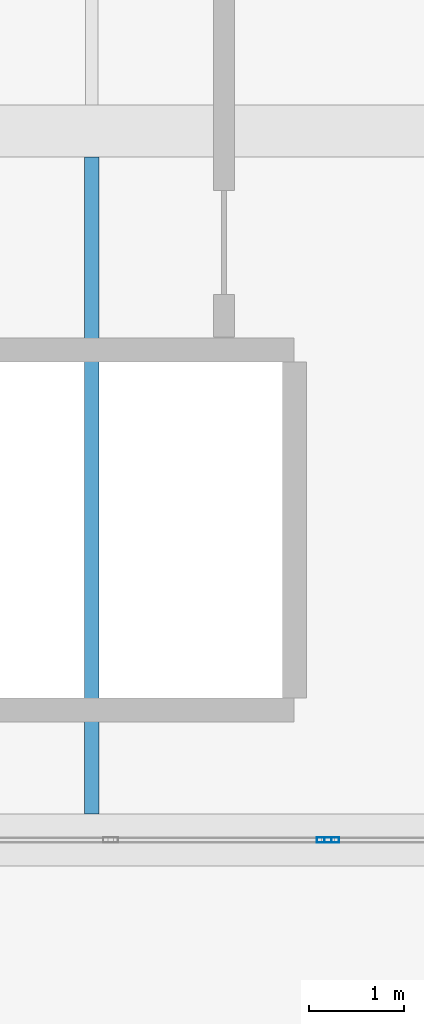
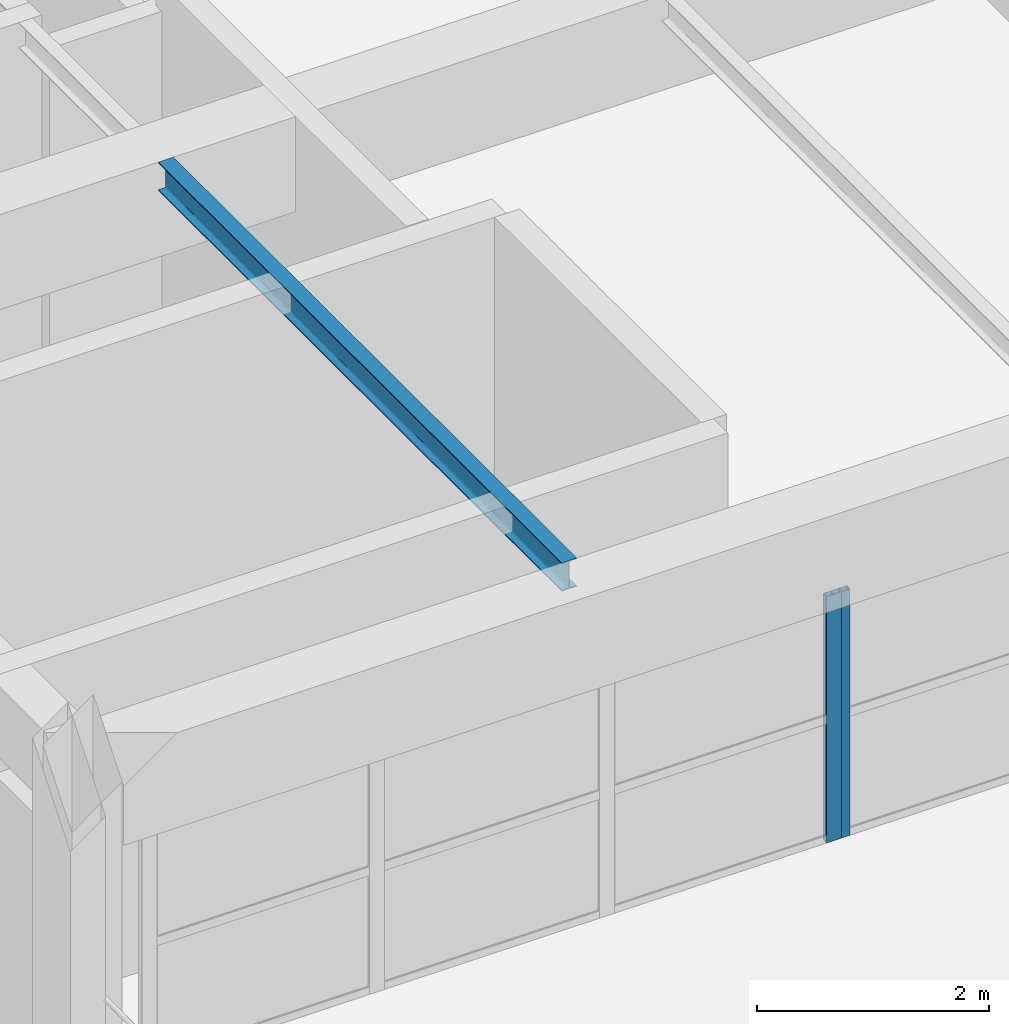
# One storey, part 4 of 82: 2 members, 1 beam, 2 elements without a shape of their own.
"""IFC4 building model written with IfcOpenShell, lengths in metres."""

import ifcopenshell
import ifcopenshell.guid

model = None  # the IFC model being written
_history = None  # IfcOwnerHistory: only IFC2X3 demands one
_inside = {}  # id of a spatial element -> (the spatial element, [elements in it])
_under = {}  # id of a project, library or spatial element -> (it, [spatial elements below it])
_declared = {}  # id of a project -> (the project, [libraries it declares])
_typed = {}  # id of a type object -> (the type object, [elements of that type])
_made_of = {}  # id of a material, layer set ... -> (it, [elements and type objects made of it])


def new_model(schema):
    """Start an empty IFC model of exactly this schema.

    Asked for "IFC4X3", IfcOpenShell would pick the latest addendum, in which some entities
    have other attributes; the version numbers below select the first issue.
    IFC2X3 requires an IfcOwnerHistory on every rooted entity: one is made here for all.
    """
    global model, _history
    if schema == "IFC4X3":
        model = ifcopenshell.file(schema_version=(4, 3, 0, 0))
    else:
        model = ifcopenshell.file(schema=schema)
    _inside.clear()
    _under.clear()
    _declared.clear()
    _typed.clear()
    _made_of.clear()
    _history = None
    if model.schema == "IFC2X3":
        org = make("IfcOrganization", Name="unknown")
        user = make(
            "IfcPersonAndOrganization",
            ThePerson=make("IfcPerson", FamilyName="unknown"),
            TheOrganization=org,
        )
        app = make(
            "IfcApplication",
            ApplicationDeveloper=org,
            Version="unknown",
            ApplicationFullName="unknown",
            ApplicationIdentifier="unknown",
        )
        _history = make(
            "IfcOwnerHistory",
            OwningUser=user,
            OwningApplication=app,
            ChangeAction="ADDED",
            CreationDate=0,
        )
    return model


def make(cls, **values):
    """One entity of the class cls with the attributes given. An attribute that is None is left unset."""
    return model.create_entity(
        cls, **{name: value for name, value in values.items() if value is not None}
    )


def rooted(cls, **values):
    """An entity with a GlobalId (a new one), such as an element, a storey or a relation."""
    return make(cls, GlobalId=ifcopenshell.guid.new(), OwnerHistory=_history, **values)


def si_unit(unit_type, name, prefix=None):
    """IfcSIUnit, for example si_unit("LENGTHUNIT", "METRE", prefix="MILLI")."""
    return make("IfcSIUnit", UnitType=unit_type, Prefix=prefix, Name=name)


def assignment(units):
    """IfcUnitAssignment: the units of a project."""
    return None if units is None else make("IfcUnitAssignment", Units=units)


def point(xyz):
    """IfcCartesianPoint."""
    return None if xyz is None else make("IfcCartesianPoint", Coordinates=xyz)


def direction(xyz):
    """IfcDirection."""
    return None if xyz is None else make("IfcDirection", DirectionRatios=xyz)


def frame(location, z_axis=None, x_axis=None):
    """IfcAxis2Placement3D, a coordinate frame: its origin and axes. An axis left out is left unset."""
    return make(
        "IfcAxis2Placement3D",
        Location=point(location),
        Axis=direction(z_axis),
        RefDirection=direction(x_axis),
    )


def frame_2d(location, x_axis=None):
    """IfcAxis2Placement2D, a coordinate frame in the plane: its origin and x axis."""
    return make(
        "IfcAxis2Placement2D", Location=point(location), RefDirection=direction(x_axis)
    )


def origin():
    """The frame at (0, 0, 0) with its axes left unset."""
    return frame((0.0, 0.0, 0.0))


def origin_2d():
    """The frame at (0, 0) in the plane with its x axis left unset."""
    return frame_2d((0.0, 0.0))


def place(relative_to, where):
    """IfcLocalPlacement: puts the frame where relative to a parent placement (None: the world)."""
    return make(
        "IfcLocalPlacement", PlacementRelTo=relative_to, RelativePlacement=where
    )


def context(
    kind, dimensions, precision=None, world=None, true_north=None, identifier=None
):
    """IfcGeometricRepresentationContext, for example the 3D "Model" context."""
    return make(
        "IfcGeometricRepresentationContext",
        ContextIdentifier=identifier,
        ContextType=kind,
        CoordinateSpaceDimension=dimensions,
        Precision=precision,
        WorldCoordinateSystem=world,
        TrueNorth=true_north,
    )


def subcontext(parent, identifier, kind, view, scale=None):
    """IfcGeometricRepresentationSubContext, for example "Body" below "Model"."""
    return make(
        "IfcGeometricRepresentationSubContext",
        ContextIdentifier=identifier,
        ContextType=kind,
        ParentContext=parent,
        TargetScale=scale,
        TargetView=view,
    )


def project(units=None, contexts=None):
    """IfcProject with its units and contexts."""
    return rooted(
        "IfcProject",
        Name="project",
        RepresentationContexts=contexts,
        UnitsInContext=assignment(units),
    )


def spatial(cls, under=None, at=None, **own):
    """A site, building, storey or space (cls), placed at a placement, below another one or the project."""
    s = rooted(cls, ObjectPlacement=at, **own)
    if under is not None:
        _under.setdefault(under.id(), (under, []))[1].append(s)
    return s


def profile(cls, at=None, kind="AREA", **sizes):
    """A parametric profile (cls). Its sizes go by their IFC names, for example OverallWidth=200.0."""
    return make(cls, ProfileType=kind, Position=at, **sizes)


def hollow_rectangle(**sizes):
    """IfcRectangleHollowProfileDef."""
    return profile("IfcRectangleHollowProfileDef", **sizes)


def i_section(**sizes):
    """IfcIShapeProfileDef."""
    return profile("IfcIShapeProfileDef", **sizes)


def extrude(swept, where, along, depth):
    """IfcExtrudedAreaSolid: the profile swept, set in the frame where, extruded along a direction by depth."""
    return make(
        "IfcExtrudedAreaSolid",
        SweptArea=swept,
        Position=where,
        ExtrudedDirection=direction(along),
        Depth=depth,
    )


def shape(context_of_items, identifier, shape_type, items):
    """IfcShapeRepresentation: the items that make up one representation, for example the "Body"."""
    return make(
        "IfcShapeRepresentation",
        ContextOfItems=context_of_items,
        RepresentationIdentifier=identifier,
        RepresentationType=shape_type,
        Items=items,
    )


def material(Name=None, Category=None):
    """IfcMaterial."""
    return make("IfcMaterial", Name=Name, Category=Category)


def material_profile(
    of_material, cross_section, Name=None, Category=None, Priority=None
):
    """IfcMaterialProfile: a cross section and its material."""
    return make(
        "IfcMaterialProfile",
        Name=Name,
        Material=of_material,
        Profile=cross_section,
        Priority=Priority,
        Category=Category,
    )


def profile_set(profiles, Name=None, composite=None):
    """IfcMaterialProfileSet."""
    return make(
        "IfcMaterialProfileSet",
        Name=Name,
        MaterialProfiles=profiles,
        CompositeProfile=composite,
    )


def made_of(thing, what):
    """Note that an element or type object is made of a material, layer set ...; save() writes the relation."""
    if what is not None:
        _made_of.setdefault(what.id(), (what, []))[1].append(thing)
    return thing


def type_object(cls, material=None, **own):
    """A type object (cls), such as IfcWallType, which elements share."""
    return made_of(rooted(cls, **own), material)


def element(
    cls,
    number,
    at=None,
    inside=None,
    cuts=None,
    type_object=None,
    material=None,
    context=None,
    identifier="Body",
    shape_type=None,
    held_by="IfcProductDefinitionShape",
    body=None,
    shapes=None,
    **own,
):
    """One element of the class cls, such as IfcWall. Its Tag is "e" and its number.

    at: its placement. inside: the storey or other place that contains it. cuts: it is an
    opening in that element (IfcRelVoidsElement). A single representation is given by context,
    identifier, shape_type and body (its items); several are given by shapes. held_by: the class
    of the entity that holds the representations. save() writes the other relations.
    """
    e = rooted(cls, Tag="e%d" % number, ObjectPlacement=at, **own)
    if body is not None:
        shapes = [shape(context, identifier, shape_type, body)]
    if shapes is not None:
        e.Representation = make(held_by, Representations=shapes)
    if inside is not None:
        _inside.setdefault(inside.id(), (inside, []))[1].append(e)
    if cuts is not None:
        rooted(
            "IfcRelVoidsElement", RelatingBuildingElement=cuts, RelatedOpeningElement=e
        )
    if type_object is not None:
        _typed.setdefault(type_object.id(), (type_object, []))[1].append(e)
    return made_of(e, material)


def aggregate(whole, parts):
    """IfcRelAggregates: a whole, such as a stair, and the parts it consists of."""
    return rooted("IfcRelAggregates", RelatingObject=whole, RelatedObjects=parts)


def save(model, path):
    """Write the relations noted so far, then the file.

    IfcRelAggregates (storeys below a building ...), IfcRelContainedInSpatialStructure (elements
    in a storey), IfcRelDefinesByType, IfcRelAssociatesMaterial and IfcRelDeclares: one each for
    every whole, place, type object, material and project.
    """
    for whole, parts in _under.values():
        aggregate(whole, parts)
    for where, things in _inside.values():
        rooted(
            "IfcRelContainedInSpatialStructure",
            RelatedElements=things,
            RelatingStructure=where,
        )
    for kind, things in _typed.values():
        rooted("IfcRelDefinesByType", RelatedObjects=things, RelatingType=kind)
    for what, things in _made_of.values():
        rooted("IfcRelAssociatesMaterial", RelatedObjects=things, RelatingMaterial=what)
    for by, libraries in _declared.values():
        rooted("IfcRelDeclares", RelatingContext=by, RelatedDefinitions=libraries)
    model.write(path)


model = new_model("IFC4")

# Units and contexts
model_context = context("Model", 3, precision=1e-05, world=origin(), true_north=direction((0.0, 1.0)))
body_context = subcontext(model_context, "Body", "Model", "MODEL_VIEW")
ifc_project = project(units=[si_unit("LENGTHUNIT", "METRE"), si_unit("AREAUNIT", "SQUARE_METRE"), si_unit("VOLUMEUNIT", "CUBIC_METRE"), si_unit("PLANEANGLEUNIT", "RADIAN"), si_unit("MASSUNIT", "GRAM", prefix="KILO")], contexts=[model_context])

# Site, building, storey
site_placement = place(None, origin())
site = spatial("IfcSite", under=ifc_project, at=site_placement, CompositionType="ELEMENT")
building_placement = place(site_placement, origin())
building = spatial("IfcBuilding", under=site, at=building_placement, Name="Qasida Concert Hall", CompositionType="ELEMENT")
storey_placement = place(building_placement, frame((0.0, 0.0, 17.10009765625)))
storey = spatial("IfcBuildingStorey", under=building, at=storey_placement, Name="L04", CompositionType="ELEMENT", Elevation=17.10009765625)

# Beam
ifc_material_1 = material(Name="Steel S355J2", Category="steel")
ifc_material_profile_1 = material_profile(ifc_material_1, i_section(OverallWidth=0.14990234375, OverallDepth=0.300048828125, WebThickness=0.007080078125, FlangeThickness=0.0107421875, FilletRadius=0.014892578125, at=origin_2d()), Name="IPE 300")
ifc_profile_set_1 = profile_set([ifc_material_profile_1], Name="Steel S355J2")
beam_type = type_object("IfcBeamType", Name="BM-J4", PredefinedType="JOIST", material=ifc_profile_set_1)
beam_placement = place(storey_placement, frame((5.0, 22.77490234375, 3.469970703125), z_axis=(0.0, 1.0, 0.0), x_axis=(-1.0, 0.0, 0.0)))
element("IfcBeam", 1, at=beam_placement, inside=storey, type_object=beam_type, Name="L04 secondary joist 1915", PredefinedType="JOIST", context=body_context, shape_type="SweptSolid", body=[
    extrude(i_section(OverallWidth=0.14990234375, OverallDepth=0.300048828125, WebThickness=0.007080078125, FlangeThickness=0.0107421875, FilletRadius=0.014892578125, at=origin_2d()), origin(), (0.0, 0.0, 1.0), 6.9501953125),
])

# Curtain wall, member
ifc_material_2 = material(Name="Architectural bronze-anodized aluminium and low-E glass", Category="aluminium")
curtain_wall_type = type_object("IfcCurtainWallType", Name="CW-12", PredefinedType="NOTDEFINED", material=ifc_material_2)
curtain_wall_1_placement = place(storey_placement, origin())
curtain_wall_1 = element("IfcCurtainWall", 2, at=curtain_wall_1_placement, inside=storey, type_object=curtain_wall_type, Name="L04 curtain wall CW-12 0130", PredefinedType="NOTDEFINED")
ifc_material_3 = material(Name="Architectural bronze-anodized aluminium EN AW-6063", Category="aluminium")
ifc_material_profile_2 = material_profile(ifc_material_3, hollow_rectangle(XDim=0.06005859375, YDim=0.159912109375, WallThickness=0.00390625, InnerFilletRadius=0.00390625, OuterFilletRadius=0.008056640625, at=origin_2d()), Name="CWM 160x60x4")
ifc_profile_set_2 = profile_set([ifc_material_profile_2], Name="Architectural bronze-anodized aluminium EN AW-6063")
member_type = type_object("IfcMemberType", Name="MB-CWM-3", PredefinedType="MULLION", material=ifc_profile_set_2)
member_1_placement = place(storey_placement, frame((7.4599609375, 22.5, 0.0), z_axis=(0.0, 0.0, 1.0), x_axis=(0.0, 1.0, 0.0)))
member_1 = element("IfcMember", 3, at=member_1_placement, type_object=member_type, Name="CW-12 mullion 4", PredefinedType="MULLION", context=body_context, shape_type="SweptSolid", body=[
    extrude(hollow_rectangle(XDim=0.06005859375, YDim=0.159912109375, WallThickness=0.00390625, InnerFilletRadius=0.00390625, OuterFilletRadius=0.008056640625, at=origin_2d()), origin(), (0.0, 0.0, 1.0), 2.58984375),
])
aggregate(curtain_wall_1, [member_1])

curtain_wall_2_placement = place(storey_placement, origin())
curtain_wall_2 = element("IfcCurtainWall", 4, at=curtain_wall_2_placement, inside=storey, type_object=curtain_wall_type, Name="L04 curtain wall CW-12 0132", PredefinedType="NOTDEFINED")
member_2_placement = place(storey_placement, frame((7.5400390625, 22.5, 0.0), z_axis=(0.0, 0.0, 1.0), x_axis=(0.0, 1.0, 0.0)))
member_2 = element("IfcMember", 5, at=member_2_placement, type_object=member_type, Name="CW-12 mullion 1", PredefinedType="MULLION", context=body_context, shape_type="SweptSolid", body=[
    extrude(hollow_rectangle(XDim=0.06005859375, YDim=0.159912109375, WallThickness=0.00390625, InnerFilletRadius=0.00390625, OuterFilletRadius=0.008056640625, at=origin_2d()), origin(), (0.0, 0.0, 1.0), 2.58984375),
])
aggregate(curtain_wall_2, [member_2])

save(model, "model.ifc")
